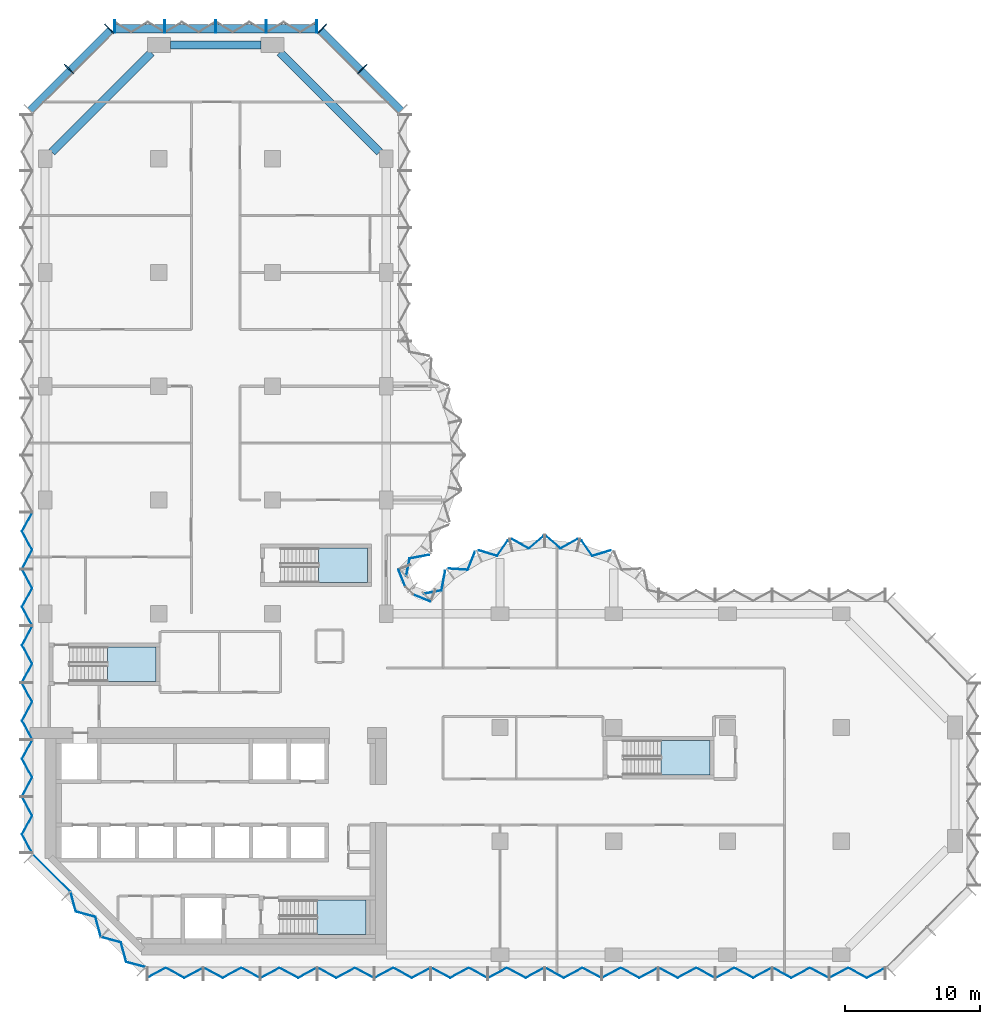
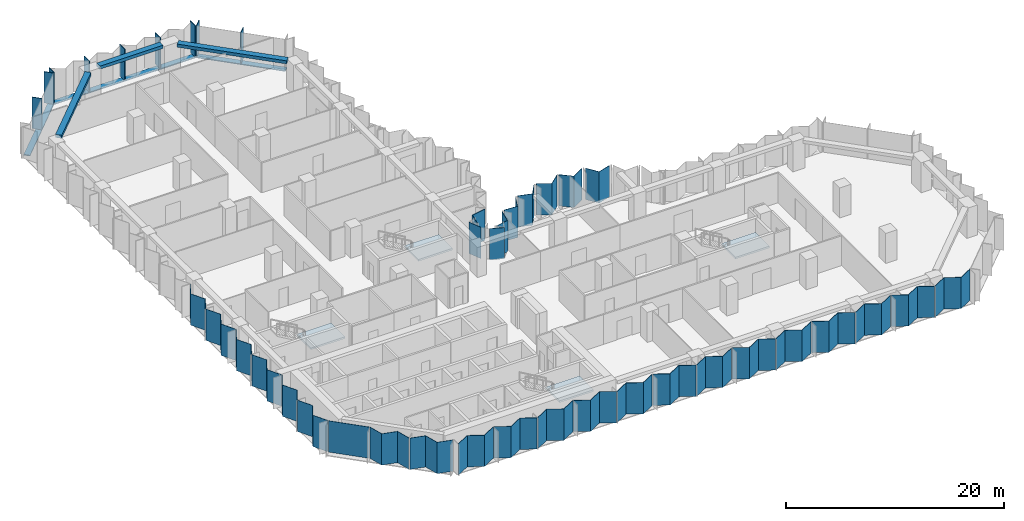
# One storey, part 5 of 13: 31 plates, 12 members, 4 slabs, 3 beams, 13 elements without a shape of their own.
"""IFC4 building model written with IfcOpenShell, lengths in metres."""

from ifc_helpers import new_model, si_unit, direction, frame, origin, origin_2d, place, context, subcontext, project, spatial, polyline, rectangle, outline, extrude, material, layer, layer_set, material_profile, profile_set, type_object, element, aggregate, save


model = new_model("IFC4")

# Units and contexts
model_context = context("Model", 3, precision=1e-05, world=origin(), true_north=direction((0.0, 1.0)))
body_context = subcontext(model_context, "Body", "Model", "MODEL_VIEW")
ifc_project = project(units=[si_unit("LENGTHUNIT", "METRE"), si_unit("AREAUNIT", "SQUARE_METRE"), si_unit("VOLUMEUNIT", "CUBIC_METRE"), si_unit("PLANEANGLEUNIT", "RADIAN"), si_unit("MASSUNIT", "GRAM", prefix="KILO")], contexts=[model_context])

# Site, building, storey
site_placement = place(None, origin())
site = spatial("IfcSite", under=ifc_project, at=site_placement, CompositionType="ELEMENT")
building_placement = place(site_placement, origin())
building = spatial("IfcBuilding", under=site, at=building_placement, Name="Brevane Broadcast Tower", CompositionType="ELEMENT")
storey_placement = place(building_placement, frame((0.0, 0.0, 95.300048828125)))
storey = spatial("IfcBuildingStorey", under=building, at=storey_placement, Name="L22", CompositionType="ELEMENT", Elevation=95.300048828125)

# Curtain wall, members
ifc_material_1 = material(Name="Aluminium 6063-T6 bronze anodised", Category="aluminium")
curtain_wall_type = type_object("IfcCurtainWallType", Name="CW-1 curtain wall", PredefinedType="NOTDEFINED", material=ifc_material_1)
curtain_wall_1_placement = place(storey_placement, origin())
curtain_wall_1 = element("IfcCurtainWall", 1, at=curtain_wall_1_placement, inside=storey, type_object=curtain_wall_type, Name="CW-1 typical tilted unit L22 north arm north-east chamfer", PredefinedType="NOTDEFINED")
ifc_material_profile_1 = material_profile(ifc_material_1, rectangle(XDim=0.949951171875, YDim=0.070068359375, at=origin_2d()), Name="RECT 70x950")
ifc_profile_set_1 = profile_set([ifc_material_profile_1], Name="Aluminium 6063-T6 bronze anodised")
member_type_1 = type_object("IfcMemberType", Name="CW-1 mullion 70x950", PredefinedType="MULLION", material=ifc_profile_set_1)
member_1_placement = place(storey_placement, frame((23.435791015625, 65.435791015625, -0.150146484375), z_axis=(0.0, 0.0, 1.0), x_axis=(-0.707106781187, -0.707106781187, 0.0)))
member_1 = element("IfcMember", 2, at=member_1_placement, type_object=member_type_1, Name="CW-1 mullion", PredefinedType="MULLION", context=body_context, shape_type="SweptSolid", body=[
    extrude(rectangle(XDim=0.949951171875, YDim=0.070068359375, at=origin_2d()), origin(), (0.0, 0.0, 1.0), 3.5),
])
member_2_placement = place(storey_placement, frame((20.460693359375, 68.4111328125, -0.150146484375), z_axis=(0.0, 0.0, 1.0), x_axis=(-0.707106781187, -0.707106781187, 0.0)))
member_2 = element("IfcMember", 3, at=member_2_placement, type_object=member_type_1, Name="CW-1 mullion", PredefinedType="MULLION", context=body_context, shape_type="SweptSolid", body=[
    extrude(rectangle(XDim=0.949951171875, YDim=0.070068359375, at=origin_2d()), origin(), (0.0, 0.0, 1.0), 3.5),
])

curtain_wall_2_placement = place(storey_placement, origin())
curtain_wall_2 = element("IfcCurtainWall", 4, at=curtain_wall_2_placement, inside=storey, type_object=curtain_wall_type, Name="CW-1 typical tilted unit L22 north end", PredefinedType="NOTDEFINED")
member_3_placement = place(storey_placement, frame((20.06494140625, 68.574951171875, -0.150146484375), z_axis=(0.0, 0.0, 1.0), x_axis=(0.0, -1.0, 0.0)))
member_3 = element("IfcMember", 5, at=member_3_placement, type_object=member_type_1, Name="CW-1 mullion", PredefinedType="MULLION", context=body_context, shape_type="SweptSolid", body=[
    extrude(rectangle(XDim=0.949951171875, YDim=0.070068359375, at=origin_2d()), origin(), (0.0, 0.0, 1.0), 3.5),
])
member_4_placement = place(storey_placement, frame((16.35009765625, 68.574951171875, -0.150146484375), z_axis=(0.0, 0.0, 1.0), x_axis=(0.0, -1.0, 0.0)))
member_4 = element("IfcMember", 6, at=member_4_placement, type_object=member_type_1, Name="CW-1 mullion", PredefinedType="MULLION", context=body_context, shape_type="SweptSolid", body=[
    extrude(rectangle(XDim=0.949951171875, YDim=0.070068359375, at=origin_2d()), origin(), (0.0, 0.0, 1.0), 3.5),
])
member_5_placement = place(storey_placement, frame((12.60009765625, 68.574951171875, -0.150146484375), z_axis=(0.0, 0.0, 1.0), x_axis=(0.0, -1.0, 0.0)))
member_5 = element("IfcMember", 7, at=member_5_placement, type_object=member_type_1, Name="CW-1 mullion", PredefinedType="MULLION", context=body_context, shape_type="SweptSolid", body=[
    extrude(rectangle(XDim=0.949951171875, YDim=0.070068359375, at=origin_2d()), origin(), (0.0, 0.0, 1.0), 3.5),
])
member_6_placement = place(storey_placement, frame((8.85009765625, 68.574951171875, -0.150146484375), z_axis=(0.0, 0.0, 1.0), x_axis=(0.0, -1.0, 0.0)))
member_6 = element("IfcMember", 8, at=member_6_placement, type_object=member_type_1, Name="CW-1 mullion", PredefinedType="MULLION", context=body_context, shape_type="SweptSolid", body=[
    extrude(rectangle(XDim=0.949951171875, YDim=0.070068359375, at=origin_2d()), origin(), (0.0, 0.0, 1.0), 3.5),
])
member_7_placement = place(storey_placement, frame((5.135009765625, 68.574951171875, -0.150146484375), z_axis=(0.0, 0.0, 1.0), x_axis=(0.0, -1.0, 0.0)))
member_7 = element("IfcMember", 9, at=member_7_placement, type_object=member_type_1, Name="CW-1 mullion", PredefinedType="MULLION", context=body_context, shape_type="SweptSolid", body=[
    extrude(rectangle(XDim=0.949951171875, YDim=0.070068359375, at=origin_2d()), origin(), (0.0, 0.0, 1.0), 3.5),
])

curtain_wall_3_placement = place(storey_placement, origin())
curtain_wall_3 = element("IfcCurtainWall", 10, at=curtain_wall_3_placement, inside=storey, type_object=curtain_wall_type, Name="CW-1 typical tilted unit L22 north-west chamfer", PredefinedType="NOTDEFINED")
member_8_placement = place(storey_placement, frame((4.7392578125, 68.4111328125, -0.150146484375), z_axis=(0.0, 0.0, 1.0), x_axis=(0.707106781187, -0.707106781187, 0.0)))
member_8 = element("IfcMember", 11, at=member_8_placement, type_object=member_type_1, Name="CW-1 mullion", PredefinedType="MULLION", context=body_context, shape_type="SweptSolid", body=[
    extrude(rectangle(XDim=0.949951171875, YDim=0.070068359375, at=origin_2d()), origin(), (0.0, 0.0, 1.0), 3.5),
])
member_9_placement = place(storey_placement, frame((1.76416015625, 65.435791015625, -0.150146484375), z_axis=(0.0, 0.0, 1.0), x_axis=(0.707106781187, -0.707106781187, 0.0)))
member_9 = element("IfcMember", 12, at=member_9_placement, type_object=member_type_1, Name="CW-1 mullion", PredefinedType="MULLION", context=body_context, shape_type="SweptSolid", body=[
    extrude(rectangle(XDim=0.949951171875, YDim=0.070068359375, at=origin_2d()), origin(), (0.0, 0.0, 1.0), 3.5),
])

# Member
ifc_material_profile_2 = material_profile(ifc_material_1, rectangle(XDim=0.60009765625, YDim=0.10009765625, at=origin_2d()), Name="RECT 100x600")
ifc_profile_set_2 = profile_set([ifc_material_profile_2], Name="Aluminium 6063-T6 bronze anodised")
member_type_2 = type_object("IfcMemberType", Name="CW-1 transom 100x600", PredefinedType="USERDEFINED", material=ifc_profile_set_2)
member_10_placement = place(storey_placement, frame((26.31201171875, 62.31201171875, -0.199951171875), z_axis=(-0.707106781187, 0.707106781187, 0.0), x_axis=(-0.707106781187, -0.707106781187, 0.0)))
member_10 = element("IfcMember", 13, at=member_10_placement, type_object=member_type_2, Name="CW-1 transom", ObjectType="TRANSOM", PredefinedType="USERDEFINED", context=body_context, shape_type="SweptSolid", body=[
    extrude(rectangle(XDim=0.60009765625, YDim=0.10009765625, at=origin_2d()), origin(), (0.0, 0.0, 1.0), 8.4853515625),
])

aggregate(curtain_wall_1, [member_1, member_2, member_10])

member_11_placement = place(storey_placement, frame((20.10009765625, 68.39990234375, -0.199951171875), z_axis=(-1.0, 0.0, 0.0), x_axis=(0.0, -1.0, 0.0)))
member_11 = element("IfcMember", 14, at=member_11_placement, type_object=member_type_2, Name="CW-1 transom", ObjectType="TRANSOM", PredefinedType="USERDEFINED", context=body_context, shape_type="SweptSolid", body=[
    extrude(rectangle(XDim=0.60009765625, YDim=0.10009765625, at=origin_2d()), origin(), (0.0, 0.0, 1.0), 15.0),
])

aggregate(curtain_wall_2, [member_3, member_4, member_5, member_6, member_7, member_11])

member_12_placement = place(storey_placement, frame((4.887939453125, 68.31201171875, -0.199951171875), z_axis=(-0.707106781187, -0.707106781187, 0.0), x_axis=(0.707106781187, -0.707106781187, 0.0)))
member_12 = element("IfcMember", 15, at=member_12_placement, type_object=member_type_2, Name="CW-1 transom", ObjectType="TRANSOM", PredefinedType="USERDEFINED", context=body_context, shape_type="SweptSolid", body=[
    extrude(rectangle(XDim=0.60009765625, YDim=0.10009765625, at=origin_2d()), origin(), (0.0, 0.0, 1.0), 8.4853515625),
])

aggregate(curtain_wall_3, [member_8, member_9, member_12])

# Beams
ifc_material_2 = material(Name="Concrete C40/50", Category="concrete")
ifc_material_profile_3 = material_profile(ifc_material_2, rectangle(XDim=0.60009765625, YDim=0.35009765625, at=origin_2d()), Name="RC 600x350")
ifc_profile_set_3 = profile_set([ifc_material_profile_3], Name="Concrete C40/50")
beam_type = type_object("IfcBeamType", Name="RC SPANDREL BEAM 600x350 C40/50", PredefinedType="SPANDREL", material=ifc_profile_set_3)
beam_1_placement = place(storey_placement, frame((24.699951171875, 59.300048828125, 3.175048828125), z_axis=(-0.707106781187, 0.707106781187, 0.0), x_axis=(-0.707106781187, -0.707106781187, 0.0)))
element("IfcBeam", 16, at=beam_1_placement, inside=storey, type_object=beam_type, Name="EB1 L22-16", PredefinedType="SPANDREL", context=body_context, shape_type="SweptSolid", body=[
    extrude(rectangle(XDim=0.60009765625, YDim=0.35009765625, at=origin_2d()), origin(), (0.0, 0.0, 1.0), 10.394287109375),
])
beam_2_placement = place(storey_placement, frame((15.949951171875, 67.199951171875, 3.175048828125), z_axis=(-1.0, 0.0, 0.0), x_axis=(0.0, -1.0, 0.0)))
element("IfcBeam", 17, at=beam_2_placement, inside=storey, type_object=beam_type, Name="EB1 L22-17", PredefinedType="SPANDREL", context=body_context, shape_type="SweptSolid", body=[
    extrude(rectangle(XDim=0.60009765625, YDim=0.35009765625, at=origin_2d()), origin(), (0.0, 0.0, 1.0), 6.699951171875),
])
beam_3_placement = place(storey_placement, frame((7.85009765625, 66.64990234375, 3.175048828125), z_axis=(-0.707118524903, -0.707095037275, 0.0), x_axis=(0.707095037275, -0.707118524903, 0.0)))
element("IfcBeam", 18, at=beam_3_placement, inside=storey, type_object=beam_type, Name="EB1 L22-18", PredefinedType="SPANDREL", context=body_context, shape_type="SweptSolid", body=[
    extrude(rectangle(XDim=0.60009765625, YDim=0.35009765625, at=origin_2d()), origin(), (0.0, 0.0, 1.0), 10.39453125),
])

# Curtain wall, plates
curtain_wall_4_placement = place(storey_placement, origin())
curtain_wall_4 = element("IfcCurtainWall", 19, at=curtain_wall_4_placement, inside=storey, type_object=curtain_wall_type, Name="CW-1 typical tilted unit L22 south face", PredefinedType="NOTDEFINED")
ifc_material_3 = material(Name="Laminated glass bronze-tinted", Category="glass")
ifc_layer_1 = layer(ifc_material_3, 0.0400390625)
ifc_layer_set_1 = layer_set([ifc_layer_1], Name="CW tall glass panel 40")
plate_type = type_object("IfcPlateType", Name="CW tall glass panel 40", PredefinedType="CURTAIN_PANEL", material=ifc_layer_set_1)
plate_1_placement = place(storey_placement, frame((0.0, 0.0, -0.150146484375)))
plate_1 = element("IfcPlate", 20, at=plate_1_placement, type_object=plate_type, Name="CW-1 glass panel", PredefinedType="CURTAIN_PANEL", context=body_context, shape_type="SweptSolid", body=[
    extrude(outline(polyline([(7.534912109375, -1.671630859375), (7.534912109375, -1.717041015625), (8.91162109375, -0.97265625), (10.288330078125, -1.717041015625), (11.6650390625, -0.97265625), (11.6650390625, -0.92724609375), (10.288330078125, -1.671630859375), (8.91162109375, -0.92724609375), (7.534912109375, -1.671630859375)])), origin(), (0.0, 0.0, 1.0), 3.5),
])
plate_2_placement = place(storey_placement, frame((0.0, 0.0, -0.150146484375)))
plate_2 = element("IfcPlate", 21, at=plate_2_placement, type_object=plate_type, Name="CW-1 glass panel", PredefinedType="CURTAIN_PANEL", context=body_context, shape_type="SweptSolid", body=[
    extrude(outline(polyline([(11.735107421875, -0.92724609375), (11.735107421875, -0.97265625), (13.11181640625, -1.717041015625), (14.48828125, -0.97265625), (15.864990234375, -1.717041015625), (15.864990234375, -1.671630859375), (14.48828125, -0.92724609375), (13.11181640625, -1.671630859375), (11.735107421875, -0.92724609375)])), origin(), (0.0, 0.0, 1.0), 3.5),
])
plate_3_placement = place(storey_placement, frame((0.0, 0.0, -0.150146484375)))
plate_3 = element("IfcPlate", 22, at=plate_3_placement, type_object=plate_type, Name="CW-1 glass panel", PredefinedType="CURTAIN_PANEL", context=body_context, shape_type="SweptSolid", body=[
    extrude(outline(polyline([(15.93505859375, -1.671630859375), (15.93505859375, -1.717041015625), (17.311767578125, -0.97265625), (18.688232421875, -1.717041015625), (20.06494140625, -0.97265625), (20.06494140625, -0.92724609375), (18.688232421875, -1.671630859375), (17.311767578125, -0.92724609375), (15.93505859375, -1.671630859375)])), origin(), (0.0, 0.0, 1.0), 3.5),
])
plate_4_placement = place(storey_placement, frame((0.0, 0.0, -0.150146484375)))
plate_4 = element("IfcPlate", 23, at=plate_4_placement, type_object=plate_type, Name="CW-1 glass panel", PredefinedType="CURTAIN_PANEL", context=body_context, shape_type="SweptSolid", body=[
    extrude(outline(polyline([(20.135009765625, -0.92724609375), (20.135009765625, -0.97265625), (21.51171875, -1.717041015625), (22.88818359375, -0.97265625), (24.264892578125, -1.717041015625), (24.264892578125, -1.671630859375), (22.88818359375, -0.92724609375), (21.51171875, -1.671630859375), (20.135009765625, -0.92724609375)])), origin(), (0.0, 0.0, 1.0), 3.5),
])
plate_5_placement = place(storey_placement, frame((0.0, 0.0, -0.150146484375)))
plate_5 = element("IfcPlate", 24, at=plate_5_placement, type_object=plate_type, Name="CW-1 glass panel", PredefinedType="CURTAIN_PANEL", context=body_context, shape_type="SweptSolid", body=[
    extrude(outline(polyline([(24.3349609375, -1.671630859375), (24.3349609375, -1.717041015625), (25.711669921875, -0.97265625), (27.08837890625, -1.717041015625), (28.465087890625, -0.97265625), (28.465087890625, -0.92724609375), (27.08837890625, -1.671630859375), (25.711669921875, -0.92724609375), (24.3349609375, -1.671630859375)])), origin(), (0.0, 0.0, 1.0), 3.5),
])
plate_6_placement = place(storey_placement, frame((0.0, 0.0, -0.150146484375)))
plate_6 = element("IfcPlate", 25, at=plate_6_placement, type_object=plate_type, Name="CW-1 glass panel", PredefinedType="CURTAIN_PANEL", context=body_context, shape_type="SweptSolid", body=[
    extrude(outline(polyline([(28.534912109375, -0.92724609375), (28.534912109375, -0.97265625), (29.91162109375, -1.717041015625), (31.288330078125, -0.97265625), (32.6650390625, -1.717041015625), (32.6650390625, -1.671630859375), (31.288330078125, -0.92724609375), (29.91162109375, -1.671630859375), (28.534912109375, -0.92724609375)])), origin(), (0.0, 0.0, 1.0), 3.5),
])
plate_7_placement = place(storey_placement, frame((0.0, 0.0, -0.150146484375)))
plate_7 = element("IfcPlate", 26, at=plate_7_placement, type_object=plate_type, Name="CW-1 glass panel", PredefinedType="CURTAIN_PANEL", context=body_context, shape_type="SweptSolid", body=[
    extrude(outline(polyline([(32.735107421875, -1.671630859375), (32.735107421875, -1.717041015625), (34.11181640625, -0.97265625), (35.48828125, -1.717041015625), (36.864990234375, -0.97265625), (36.864990234375, -0.92724609375), (35.48828125, -1.671630859375), (34.11181640625, -0.92724609375), (32.735107421875, -1.671630859375)])), origin(), (0.0, 0.0, 1.0), 3.5),
])
plate_8_placement = place(storey_placement, frame((0.0, 0.0, -0.150146484375)))
plate_8 = element("IfcPlate", 27, at=plate_8_placement, type_object=plate_type, Name="CW-1 glass panel", PredefinedType="CURTAIN_PANEL", context=body_context, shape_type="SweptSolid", body=[
    extrude(outline(polyline([(36.93505859375, -0.92724609375), (36.93505859375, -0.97265625), (38.311767578125, -1.717041015625), (39.688232421875, -0.97265625), (41.06494140625, -1.717041015625), (41.06494140625, -1.671630859375), (39.688232421875, -0.92724609375), (38.311767578125, -1.671630859375), (36.93505859375, -0.92724609375)])), origin(), (0.0, 0.0, 1.0), 3.5),
])
plate_9_placement = place(storey_placement, frame((0.0, 0.0, -0.150146484375)))
plate_9 = element("IfcPlate", 28, at=plate_9_placement, type_object=plate_type, Name="CW-1 glass panel", PredefinedType="CURTAIN_PANEL", context=body_context, shape_type="SweptSolid", body=[
    extrude(outline(polyline([(41.135009765625, -1.671630859375), (41.135009765625, -1.717041015625), (42.51171875, -0.97265625), (43.88818359375, -1.717041015625), (45.264892578125, -0.97265625), (45.264892578125, -0.92724609375), (43.88818359375, -1.671630859375), (42.51171875, -0.92724609375), (41.135009765625, -1.671630859375)])), origin(), (0.0, 0.0, 1.0), 3.5),
])
plate_10_placement = place(storey_placement, frame((0.0, 0.0, -0.150146484375)))
plate_10 = element("IfcPlate", 29, at=plate_10_placement, type_object=plate_type, Name="CW-1 glass panel", PredefinedType="CURTAIN_PANEL", context=body_context, shape_type="SweptSolid", body=[
    extrude(outline(polyline([(45.3349609375, -0.92724609375), (45.3349609375, -0.97265625), (46.711669921875, -1.717041015625), (48.08837890625, -0.97265625), (49.465087890625, -1.717041015625), (49.465087890625, -1.671630859375), (48.08837890625, -0.92724609375), (46.711669921875, -1.671630859375), (45.3349609375, -0.92724609375)])), origin(), (0.0, 0.0, 1.0), 3.5),
])
plate_11_placement = place(storey_placement, frame((0.0, 0.0, -0.150146484375)))
plate_11 = element("IfcPlate", 30, at=plate_11_placement, type_object=plate_type, Name="CW-1 glass panel", PredefinedType="CURTAIN_PANEL", context=body_context, shape_type="SweptSolid", body=[
    extrude(outline(polyline([(49.534912109375, -1.671630859375), (49.534912109375, -1.717041015625), (50.91162109375, -0.97265625), (52.288330078125, -1.717041015625), (53.6650390625, -0.97265625), (53.6650390625, -0.92724609375), (52.288330078125, -1.671630859375), (50.91162109375, -0.92724609375), (49.534912109375, -1.671630859375)])), origin(), (0.0, 0.0, 1.0), 3.5),
])
plate_12_placement = place(storey_placement, frame((0.0, 0.0, -0.150146484375)))
plate_12 = element("IfcPlate", 31, at=plate_12_placement, type_object=plate_type, Name="CW-1 glass panel", PredefinedType="CURTAIN_PANEL", context=body_context, shape_type="SweptSolid", body=[
    extrude(outline(polyline([(53.735107421875, -0.92724609375), (53.735107421875, -0.97265625), (55.11181640625, -1.717041015625), (56.48828125, -0.97265625), (57.864990234375, -1.717041015625), (57.864990234375, -1.671630859375), (56.48828125, -0.92724609375), (55.11181640625, -1.671630859375), (53.735107421875, -0.92724609375)])), origin(), (0.0, 0.0, 1.0), 3.5),
])
plate_13_placement = place(storey_placement, frame((0.0, 0.0, -0.150146484375)))
plate_13 = element("IfcPlate", 32, at=plate_13_placement, type_object=plate_type, Name="CW-1 glass panel", PredefinedType="CURTAIN_PANEL", context=body_context, shape_type="SweptSolid", body=[
    extrude(outline(polyline([(57.93505859375, -1.671630859375), (57.93505859375, -1.717041015625), (59.311767578125, -0.97265625), (60.688232421875, -1.717041015625), (62.06494140625, -0.97265625), (62.06494140625, -0.92724609375), (60.688232421875, -1.671630859375), (59.311767578125, -0.92724609375), (57.93505859375, -1.671630859375)])), origin(), (0.0, 0.0, 1.0), 3.5),
])
aggregate(curtain_wall_4, [plate_1, plate_2, plate_3, plate_4, plate_5, plate_6, plate_7, plate_8, plate_9, plate_10, plate_11, plate_12, plate_13])

curtain_wall_5_placement = place(storey_placement, origin())
curtain_wall_5 = element("IfcCurtainWall", 33, at=curtain_wall_5_placement, inside=storey, type_object=curtain_wall_type, Name="CW-1 typical tilted unit L22 east bow", PredefinedType="NOTDEFINED")
plate_14_placement = place(storey_placement, frame((0.0, 0.0, -0.150146484375)))
plate_14 = element("IfcPlate", 34, at=plate_14_placement, type_object=plate_type, Name="CW-1 glass panel", PredefinedType="CURTAIN_PANEL", context=body_context, shape_type="SweptSolid", body=[
    extrude(outline(polyline([(41.75537109375, 29.851806640625), (41.778564453125, 29.900634765625), (40.435546875, 29.494384765625), (39.6328125, 30.622802734375), (39.62060546875, 30.57080078125), (40.41943359375, 29.44775390625), (41.75537109375, 29.851806640625)])), origin(), (0.0, 0.0, 1.0), 3.5),
])
plate_15_placement = place(storey_placement, frame((0.0, 0.0, -0.150146484375)))
plate_15 = element("IfcPlate", 35, at=plate_15_placement, type_object=plate_type, Name="CW-1 glass panel", PredefinedType="CURTAIN_PANEL", context=body_context, shape_type="SweptSolid", body=[
    extrude(outline(polyline([(39.31640625, 30.68798828125), (39.328369140625, 30.740478515625), (38.069580078125, 30.036376953125), (37.008056640625, 30.94921875), (37.008056640625, 30.896484375), (38.064697265625, 29.98779296875), (39.31640625, 30.68798828125)])), origin(), (0.0, 0.0, 1.0), 3.5),
])
plate_16_placement = place(storey_placement, frame((0.0, 0.0, -0.150146484375)))
plate_16 = element("IfcPlate", 36, at=plate_16_placement, type_object=plate_type, Name="CW-1 glass panel", PredefinedType="CURTAIN_PANEL", context=body_context, shape_type="SweptSolid", body=[
    extrude(outline(polyline([(36.7919921875, 30.896484375), (36.7919921875, 30.94921875), (35.730224609375, 30.036376953125), (34.4716796875, 30.740478515625), (34.483642578125, 30.68798828125), (35.735107421875, 29.98779296875), (36.7919921875, 30.896484375)])), origin(), (0.0, 0.0, 1.0), 3.5),
])
plate_17_placement = place(storey_placement, frame((0.0, 0.0, -0.150146484375)))
plate_17 = element("IfcPlate", 37, at=plate_17_placement, type_object=plate_type, Name="CW-1 glass panel", PredefinedType="CURTAIN_PANEL", context=body_context, shape_type="SweptSolid", body=[
    extrude(outline(polyline([(34.17919921875, 30.57080078125), (34.167236328125, 30.622802734375), (33.364501953125, 29.494384765625), (32.021484375, 29.900634765625), (32.044677734375, 29.851806640625), (33.380615234375, 29.44775390625), (34.17919921875, 30.57080078125)])), origin(), (0.0, 0.0, 1.0), 3.5),
])
plate_18_placement = place(storey_placement, frame((0.0, 0.0, -0.150146484375)))
plate_18 = element("IfcPlate", 38, at=plate_18_placement, type_object=plate_type, Name="CW-1 glass panel", PredefinedType="CURTAIN_PANEL", context=body_context, shape_type="SweptSolid", body=[
    extrude(outline(polyline([(31.753173828125, 29.712890625), (31.729736328125, 29.76171875), (31.198486328125, 28.462890625), (29.816650390625, 28.551025390625), (29.849609375, 28.5087890625), (31.224609375, 28.42138671875), (31.753173828125, 29.712890625)])), origin(), (0.0, 0.0, 1.0), 3.5),
])
plate_19_placement = place(storey_placement, frame((0.0, 0.0, -0.150146484375)))
plate_19 = element("IfcPlate", 39, at=plate_19_placement, type_object=plate_type, Name="CW-1 glass panel", PredefinedType="CURTAIN_PANEL", context=body_context, shape_type="SweptSolid", body=[
    extrude(outline(polyline([(29.568603515625, 28.34375), (29.535888671875, 28.3857421875), (29.2607421875, 26.9423828125), (27.975341796875, 26.690185546875), (28.008544921875, 26.656005859375), (29.294921875, 26.908203125), (29.568603515625, 28.34375)])), origin(), (0.0, 0.0, 1.0), 3.5),
])
aggregate(curtain_wall_5, [plate_14, plate_15, plate_16, plate_17, plate_18, plate_19])

curtain_wall_6_placement = place(storey_placement, origin())
curtain_wall_6 = element("IfcCurtainWall", 40, at=curtain_wall_6_placement, inside=storey, type_object=curtain_wall_type, Name="CW-1 typical tilted unit L22 inner corner", PredefinedType="NOTDEFINED")
plate_20_placement = place(storey_placement, frame((0.0, 0.0, -0.150146484375)))
plate_20 = element("IfcPlate", 41, at=plate_20_placement, type_object=plate_type, Name="CW-1 glass panel", PredefinedType="CURTAIN_PANEL", context=body_context, shape_type="SweptSolid", body=[
    extrude(outline(polyline([(28.45166015625, 26.07470703125), (28.466796875, 26.111572265625), (27.2021484375, 26.635498046875), (27.17138671875, 26.60498046875), (28.45166015625, 26.07470703125)])), origin(), (0.0, 0.0, 1.0), 3.5),
])
plate_21_placement = place(storey_placement, frame((0.0, 0.0, -0.150146484375)))
plate_21 = element("IfcPlate", 42, at=plate_21_placement, type_object=plate_type, Name="CW-1 glass panel", PredefinedType="CURTAIN_PANEL", context=body_context, shape_type="SweptSolid", body=[
    extrude(outline(polyline([(26.60498046875, 27.17138671875), (26.635498046875, 27.2021484375), (26.111572265625, 28.466796875), (26.07470703125, 28.45166015625), (26.60498046875, 27.17138671875)])), origin(), (0.0, 0.0, 1.0), 3.5),
])
aggregate(curtain_wall_6, [plate_20, plate_21])

# Curtain wall, plate
curtain_wall_7_placement = place(storey_placement, origin())
curtain_wall_7 = element("IfcCurtainWall", 43, at=curtain_wall_7_placement, inside=storey, type_object=curtain_wall_type, Name="CW-1 typical tilted unit L22 north bow", PredefinedType="NOTDEFINED")
plate_22_placement = place(storey_placement, frame((0.0, 0.0, -0.150146484375)))
plate_22 = element("IfcPlate", 44, at=plate_22_placement, type_object=plate_type, Name="CW-1 glass panel", PredefinedType="CURTAIN_PANEL", context=body_context, shape_type="SweptSolid", body=[
    extrude(outline(polyline([(26.656005859375, 28.008544921875), (26.690185546875, 27.975341796875), (26.9423828125, 29.2607421875), (28.3857421875, 29.535888671875), (28.34375, 29.568603515625), (26.908203125, 29.294921875), (26.656005859375, 28.008544921875)])), origin(), (0.0, 0.0, 1.0), 3.5),
])
aggregate(curtain_wall_7, [plate_22])

# Curtain wall, plates
curtain_wall_8_placement = place(storey_placement, origin())
curtain_wall_8 = element("IfcCurtainWall", 45, at=curtain_wall_8_placement, inside=storey, type_object=curtain_wall_type, Name="CW-1 typical tilted unit L22 west face", PredefinedType="NOTDEFINED")
plate_23_placement = place(storey_placement, frame((0.0, 0.0, -0.150146484375)))
plate_23 = element("IfcPlate", 46, at=plate_23_placement, type_object=plate_type, Name="CW-1 glass panel", PredefinedType="CURTAIN_PANEL", context=body_context, shape_type="SweptSolid", body=[
    extrude(outline(polyline([(-0.92724609375, 32.6650390625), (-0.97265625, 32.6650390625), (-1.717041015625, 31.288330078125), (-0.97265625, 29.91162109375), (-1.717041015625, 28.534912109375), (-1.671630859375, 28.534912109375), (-0.92724609375, 29.91162109375), (-1.671630859375, 31.288330078125), (-0.92724609375, 32.6650390625)])), origin(), (0.0, 0.0, 1.0), 3.5),
])
plate_24_placement = place(storey_placement, frame((0.0, 0.0, -0.150146484375)))
plate_24 = element("IfcPlate", 47, at=plate_24_placement, type_object=plate_type, Name="CW-1 glass panel", PredefinedType="CURTAIN_PANEL", context=body_context, shape_type="SweptSolid", body=[
    extrude(outline(polyline([(-1.671630859375, 28.465087890625), (-1.717041015625, 28.465087890625), (-0.97265625, 27.08837890625), (-1.717041015625, 25.711669921875), (-0.97265625, 24.3349609375), (-0.92724609375, 24.3349609375), (-1.671630859375, 25.711669921875), (-0.92724609375, 27.08837890625), (-1.671630859375, 28.465087890625)])), origin(), (0.0, 0.0, 1.0), 3.5),
])
plate_25_placement = place(storey_placement, frame((0.0, 0.0, -0.150146484375)))
plate_25 = element("IfcPlate", 48, at=plate_25_placement, type_object=plate_type, Name="CW-1 glass panel", PredefinedType="CURTAIN_PANEL", context=body_context, shape_type="SweptSolid", body=[
    extrude(outline(polyline([(-0.92724609375, 24.264892578125), (-0.97265625, 24.264892578125), (-1.717041015625, 22.88818359375), (-0.97265625, 21.51171875), (-1.717041015625, 20.135009765625), (-1.671630859375, 20.135009765625), (-0.92724609375, 21.51171875), (-1.671630859375, 22.88818359375), (-0.92724609375, 24.264892578125)])), origin(), (0.0, 0.0, 1.0), 3.5),
])
plate_26_placement = place(storey_placement, frame((0.0, 0.0, -0.150146484375)))
plate_26 = element("IfcPlate", 49, at=plate_26_placement, type_object=plate_type, Name="CW-1 glass panel", PredefinedType="CURTAIN_PANEL", context=body_context, shape_type="SweptSolid", body=[
    extrude(outline(polyline([(-1.671630859375, 20.06494140625), (-1.717041015625, 20.06494140625), (-0.97265625, 18.688232421875), (-1.717041015625, 17.311767578125), (-0.97265625, 15.93505859375), (-0.92724609375, 15.93505859375), (-1.671630859375, 17.311767578125), (-0.92724609375, 18.688232421875), (-1.671630859375, 20.06494140625)])), origin(), (0.0, 0.0, 1.0), 3.5),
])
plate_27_placement = place(storey_placement, frame((0.0, 0.0, -0.150146484375)))
plate_27 = element("IfcPlate", 50, at=plate_27_placement, type_object=plate_type, Name="CW-1 glass panel", PredefinedType="CURTAIN_PANEL", context=body_context, shape_type="SweptSolid", body=[
    extrude(outline(polyline([(-0.92724609375, 15.864990234375), (-0.97265625, 15.864990234375), (-1.717041015625, 14.48828125), (-0.97265625, 13.11181640625), (-1.717041015625, 11.735107421875), (-1.671630859375, 11.735107421875), (-0.92724609375, 13.11181640625), (-1.671630859375, 14.48828125), (-0.92724609375, 15.864990234375)])), origin(), (0.0, 0.0, 1.0), 3.5),
])
plate_28_placement = place(storey_placement, frame((0.0, 0.0, -0.150146484375)))
plate_28 = element("IfcPlate", 51, at=plate_28_placement, type_object=plate_type, Name="CW-1 glass panel", PredefinedType="CURTAIN_PANEL", context=body_context, shape_type="SweptSolid", body=[
    extrude(outline(polyline([(-1.671630859375, 11.6650390625), (-1.717041015625, 11.6650390625), (-0.97265625, 10.288330078125), (-1.717041015625, 8.91162109375), (-0.97265625, 7.534912109375), (-0.92724609375, 7.534912109375), (-1.671630859375, 8.91162109375), (-0.92724609375, 10.288330078125), (-1.671630859375, 11.6650390625)])), origin(), (0.0, 0.0, 1.0), 3.5),
])
aggregate(curtain_wall_8, [plate_23, plate_24, plate_25, plate_26, plate_27, plate_28])

curtain_wall_9_placement = place(storey_placement, origin())
curtain_wall_9 = element("IfcCurtainWall", 52, at=curtain_wall_9_placement, inside=storey, type_object=curtain_wall_type, Name="CW-1 typical tilted unit L22 south-west chamfer", PredefinedType="NOTDEFINED")
plate_29_placement = place(storey_placement, frame((0.0, 0.0, -0.150146484375)))
plate_29 = element("IfcPlate", 53, at=plate_29_placement, type_object=plate_type, Name="CW-1 glass panel", PredefinedType="CURTAIN_PANEL", context=body_context, shape_type="SweptSolid", body=[
    extrude(outline(polyline([(-0.896484375, 7.4541015625), (1.85400390625, 4.70361328125), (1.82568359375, 4.67529296875), (-0.9248046875, 7.42578125), (-0.896484375, 7.4541015625)])), origin(), (0.0, 0.0, 1.0), 3.5),
])
plate_30_placement = place(storey_placement, frame((0.0, 0.0, -0.150146484375)))
plate_30 = element("IfcPlate", 54, at=plate_30_placement, type_object=plate_type, Name="CW-1 glass panel", PredefinedType="CURTAIN_PANEL", context=body_context, shape_type="SweptSolid", body=[
    extrude(outline(polyline([(1.90576171875, 4.65625), (1.873046875, 4.62353515625), (2.263671875, 3.180419921875), (3.706787109375, 2.789794921875), (4.09716796875, 1.3466796875), (4.1298828125, 1.37939453125), (3.739501953125, 2.822509765625), (2.296142578125, 3.212890625), (1.90576171875, 4.65625)])), origin(), (0.0, 0.0, 1.0), 3.5),
])
plate_31_placement = place(storey_placement, frame((0.0, 0.0, -0.150146484375)))
plate_31 = element("IfcPlate", 55, at=plate_31_placement, type_object=plate_type, Name="CW-1 glass panel", PredefinedType="CURTAIN_PANEL", context=body_context, shape_type="SweptSolid", body=[
    extrude(outline(polyline([(4.17919921875, 1.329833984375), (4.146728515625, 1.297119140625), (5.58984375, 0.90673828125), (5.98046875, -0.536376953125), (7.423583984375, -0.927001953125), (7.456298828125, -0.894287109375), (6.012939453125, -0.50390625), (5.62255859375, 0.939453125), (4.17919921875, 1.329833984375)])), origin(), (0.0, 0.0, 1.0), 3.5),
])
aggregate(curtain_wall_9, [plate_29, plate_30, plate_31])

# Stair, slab
ifc_material_4 = material(Name="Concrete C50/60", Category="concrete")
stair_type = type_object("IfcStairType", Name="Exit stair 22 risers", PredefinedType="HALF_TURN_STAIR", material=ifc_material_4)
stair_1_placement = place(storey_placement, origin())
stair_1 = element("IfcStair", 56, at=stair_1_placement, inside=storey, type_object=stair_type, Name="L22 Exit stair ST-1", PredefinedType="HALF_TURN_STAIR")
ifc_layer_2 = layer(ifc_material_4, 0.199951171875)
ifc_layer_set_2 = layer_set([ifc_layer_2], Name="Exit stair landing")
slab_type = type_object("IfcSlabType", Name="Exit stair landing", PredefinedType="LANDING", material=ifc_layer_set_2)
slab_1_placement = place(storey_placement, frame((0.0, 0.0, 1.599853515625)))
slab_1 = element("IfcSlab", 57, at=slab_1_placement, type_object=slab_type, Name="ST-1 landing 1", PredefinedType="LANDING", context=body_context, shape_type="SweptSolid", body=[
    extrude(outline(polyline([(4.60009765625, 20.199951171875), (8.199951171875, 20.199951171875), (8.199951171875, 22.75), (4.60009765625, 22.75), (4.60009765625, 20.199951171875)])), origin(), (0.0, 0.0, 1.0), 0.2001953125),
])
aggregate(stair_1, [slab_1])

stair_2_placement = place(storey_placement, origin())
stair_2 = element("IfcStair", 58, at=stair_2_placement, inside=storey, type_object=stair_type, Name="L22 Exit stair ST-2", PredefinedType="HALF_TURN_STAIR")
slab_2_placement = place(storey_placement, frame((0.0, 0.0, 1.599853515625)))
slab_2 = element("IfcSlab", 59, at=slab_2_placement, type_object=slab_type, Name="ST-2 landing 1", PredefinedType="LANDING", context=body_context, shape_type="SweptSolid", body=[
    extrude(outline(polyline([(20.10009765625, 1.5), (23.699951171875, 1.5), (23.699951171875, 4.050048828125), (20.10009765625, 4.050048828125), (20.10009765625, 1.5)])), origin(), (0.0, 0.0, 1.0), 0.2001953125),
])
aggregate(stair_2, [slab_2])

stair_3_placement = place(storey_placement, origin())
stair_3 = element("IfcStair", 60, at=stair_3_placement, inside=storey, type_object=stair_type, Name="L22 Exit stair ST-3", PredefinedType="HALF_TURN_STAIR")
slab_3_placement = place(storey_placement, frame((0.0, 0.0, 1.599853515625)))
slab_3 = element("IfcSlab", 61, at=slab_3_placement, type_object=slab_type, Name="ST-3 landing 1", PredefinedType="LANDING", context=body_context, shape_type="SweptSolid", body=[
    extrude(outline(polyline([(20.199951171875, 27.5), (23.800048828125, 27.5), (23.800048828125, 30.050048828125), (20.199951171875, 30.050048828125), (20.199951171875, 27.5)])), origin(), (0.0, 0.0, 1.0), 0.2001953125),
])
aggregate(stair_3, [slab_3])

stair_4_placement = place(storey_placement, origin())
stair_4 = element("IfcStair", 62, at=stair_4_placement, inside=storey, type_object=stair_type, Name="L22 Exit stair ST-4", PredefinedType="HALF_TURN_STAIR")
slab_4_placement = place(storey_placement, frame((0.0, 0.0, 1.599853515625)))
slab_4 = element("IfcSlab", 63, at=slab_4_placement, type_object=slab_type, Name="ST-4 landing 1", PredefinedType="LANDING", context=body_context, shape_type="SweptSolid", body=[
    extrude(outline(polyline([(45.5, 13.300048828125), (49.10009765625, 13.300048828125), (49.10009765625, 15.85009765625), (45.5, 15.85009765625), (45.5, 13.300048828125)])), origin(), (0.0, 0.0, 1.0), 0.2001953125),
])
aggregate(stair_4, [slab_4])

save(model, "model.ifc")
